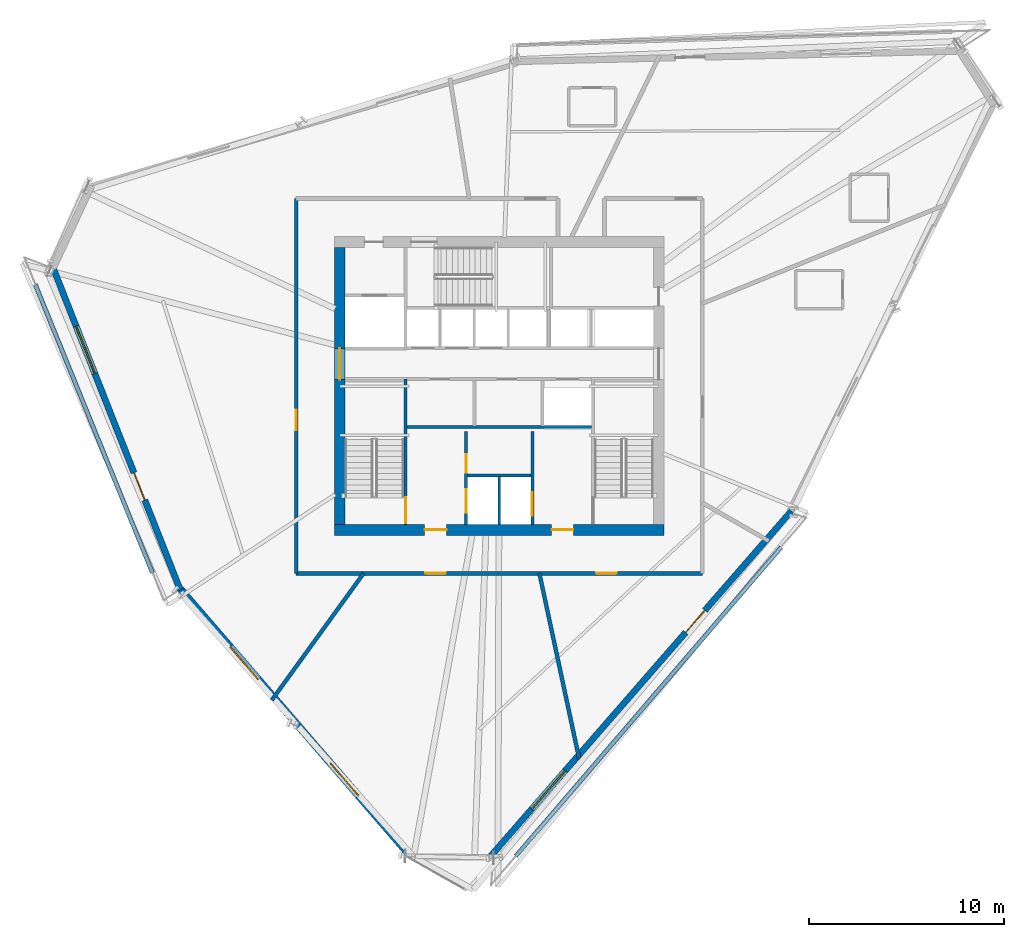
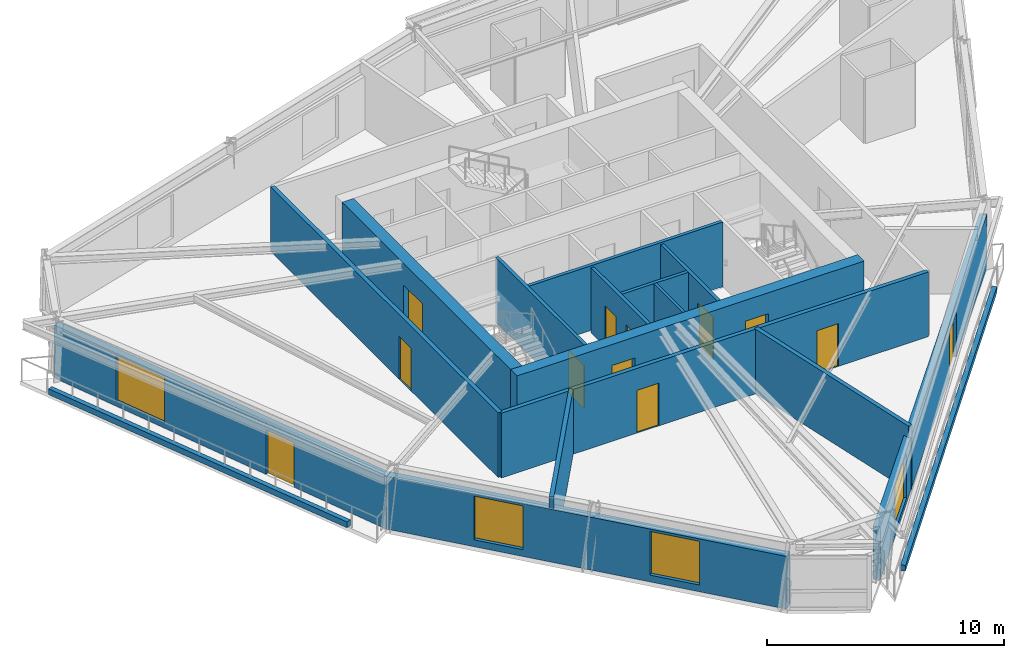
# One storey, part 7 of 13: 17 walls, 12 doors, 4 windows, 16 openings.
"""IFC4 building model written with IfcOpenShell, lengths in metres."""

from ifc_helpers import new_model, si_unit, direction, frame, frame_2d, origin, place, context, subcontext, project, spatial, rectangle, extrude, source, transform, mapped, material, layer, layer_set, type_object, type_shapes, element, fill, save


model = new_model("IFC4")

# Units and contexts
model_context = context("Model", 3, precision=1e-05, world=origin(), true_north=direction((0.0, 1.0)))
body_context = subcontext(model_context, "Body", "Model", "MODEL_VIEW")
ifc_project = project(units=[si_unit("LENGTHUNIT", "METRE"), si_unit("AREAUNIT", "SQUARE_METRE"), si_unit("VOLUMEUNIT", "CUBIC_METRE"), si_unit("PLANEANGLEUNIT", "RADIAN"), si_unit("MASSUNIT", "GRAM", prefix="KILO")], contexts=[model_context])

# Site, building, storey
site_placement = place(None, origin())
site = spatial("IfcSite", under=ifc_project, at=site_placement, CompositionType="ELEMENT")
building_placement = place(site_placement, origin())
building = spatial("IfcBuilding", under=site, at=building_placement, Name="Olszyna Solenne Hotel", CompositionType="ELEMENT")
storey_placement = place(building_placement, frame((0.0, 0.0, 167.89990234375)))
storey = spatial("IfcBuildingStorey", under=building, at=storey_placement, Name="L44", CompositionType="ELEMENT", Elevation=167.89990234375)

# Wall, openings, doors
ifc_material_1 = material(Name="Concrete C50/60", Category="concrete")
ifc_layer_1 = layer(ifc_material_1, 0.550048828125, Name="Concrete C50/60")
ifc_layer_set_1 = layer_set([ifc_layer_1], Name="Concrete C50/60")
wall_type_1 = type_object("IfcWallType", Name="WL-CR550", PredefinedType="SHEAR", material=ifc_layer_set_1)
wall_1_placement = place(storey_placement, frame((46.449951171875, 19.22509765625, 0.0), z_axis=(0.0, 0.0, 1.0), x_axis=(-1.0, 0.0, 0.0)))
wall_1 = element("IfcWall", 1, at=wall_1_placement, inside=storey, type_object=wall_type_1, Name="Core shear wall WL-CR550 CRW-L44-S", PredefinedType="SHEAR", context=body_context, shape_type="SweptSolid", body=[
    extrude(rectangle(XDim=16.89990234375, YDim=0.550048828125, at=frame_2d((8.449951171875, 0.0))), origin(), (0.0, 0.0, 1.0), 3.330078125),
])
opening_1_placement = place(wall_1_placement, frame((4.64990234375, 0.0, 0.0)))
opening_1 = element("IfcOpeningElement", 2, at=opening_1_placement, cuts=wall_1, Name="Opening FL-L44-1", PredefinedType="OPENING", context=body_context, shape_type="SweptSolid", body=[
    extrude(rectangle(XDim=1.1201171875, YDim=2.25, at=frame_2d((0.56005859375, 1.125))), frame((0.0, 0.28515625, 0.0), z_axis=(0.0, -1.0, 0.0), x_axis=(1.0, 0.0, 0.0)), (0.0, 0.0, 1.0), 0.570068359375),
])
opening_2_placement = place(wall_1_placement, frame((11.14990234375, 0.0, 0.0)))
opening_2 = element("IfcOpeningElement", 3, at=opening_2_placement, cuts=wall_1, Name="Opening FL-L44-2", PredefinedType="OPENING", context=body_context, shape_type="SweptSolid", body=[
    extrude(rectangle(XDim=1.1201171875, YDim=2.25, at=frame_2d((0.56005859375, 1.125))), frame((0.0, 0.28515625, 0.0), z_axis=(0.0, -1.0, 0.0), x_axis=(1.0, 0.0, 0.0)), (0.0, 0.0, 1.0), 0.570068359375),
])
ifc_material_2 = material(Name="Steel S355J2", Category="steel")
door_type_1 = type_object("IfcDoorType", Name="DR-FL1", OperationType="NOTDEFINED", PredefinedType="DOOR", material=ifc_material_2)
shared_shape_1 = source(origin(), body_context, "Body", "SweptSolid", [
    extrude(rectangle(XDim=1.1201171875, YDim=2.25, at=frame_2d((0.56005859375, 1.125))), frame((0.0, 0.02490234375, 0.0), z_axis=(0.0, -1.0, 0.0), x_axis=(1.0, 0.0, 0.0)), (0.0, 0.0, 1.0), 0.050048828125),
])
type_shapes(door_type_1, [shared_shape_1])
door_1_placement = place(opening_1_placement, origin())
door_1 = element("IfcDoor", 4, at=door_1_placement, inside=storey, type_object=door_type_1, Name="Firefighting lift lobby smoke door FL-L44-1", OperationType="SINGLE_SWING_LEFT", OverallHeight=2.25, OverallWidth=1.1201171875, PredefinedType="DOOR", context=body_context, shape_type="MappedRepresentation", body=[
    mapped(shared_shape_1, transform((0.0, 0.0, 0.0), x_axis=(1.0, 0.0, 0.0), y_axis=(0.0, 1.0, 0.0), z_axis=(0.0, 0.0, 1.0), scale=1.0)),
])
fill(opening_1, door_1)
door_2_placement = place(opening_2_placement, origin())
door_2 = element("IfcDoor", 5, at=door_2_placement, inside=storey, type_object=door_type_1, Name="Firefighting lift lobby smoke door FL-L44-2", OperationType="SINGLE_SWING_RIGHT", OverallHeight=2.25, OverallWidth=1.1201171875, PredefinedType="DOOR", context=body_context, shape_type="MappedRepresentation", body=[
    mapped(shared_shape_1, transform((0.0, 0.0, 0.0), x_axis=(1.0, 0.0, 0.0), y_axis=(0.0, 1.0, 0.0), z_axis=(0.0, 0.0, 1.0), scale=1.0)),
])
fill(opening_2, door_2)

# Wall, opening, door
wall_2_placement = place(storey_placement, frame((29.824951171875, 19.5, 0.0), z_axis=(0.0, 0.0, 1.0), x_axis=(0.0, 1.0, 0.0)))
wall_2 = element("IfcWall", 6, at=wall_2_placement, inside=storey, type_object=wall_type_1, Name="Core shear wall WL-CR550 CRW-L44-W", PredefinedType="SHEAR", context=body_context, shape_type="SweptSolid", body=[
    extrude(rectangle(XDim=14.199951171875, YDim=0.550048828125, at=frame_2d((7.10009765625, 0.0))), origin(), (0.0, 0.0, 1.0), 3.330078125),
])
opening_3_placement = place(wall_2_placement, frame((7.419921875, 0.0, 0.0)))
opening_3 = element("IfcOpeningElement", 7, at=opening_3_placement, cuts=wall_2, Name="Opening LHD-L44-W", PredefinedType="OPENING", context=body_context, shape_type="SweptSolid", body=[
    extrude(rectangle(XDim=1.60009765625, YDim=2.199951171875, at=frame_2d((0.800048828125, 1.10009765625))), frame((0.0, 0.28515625, 0.0), z_axis=(0.0, -1.0, 0.0), x_axis=(1.0, 0.0, 0.0)), (0.0, 0.0, 1.0), 0.570068359375),
])
ifc_material_3 = material(Name="Timber hardwood", Category="wood")
door_type_2 = type_object("IfcDoorType", Name="DR-CR1", OperationType="DOUBLE_DOOR_SINGLE_SWING", PredefinedType="DOOR", material=ifc_material_3)
shared_shape_2 = source(origin(), body_context, "Body", "SweptSolid", [
    extrude(rectangle(XDim=1.60009765625, YDim=2.199951171875, at=frame_2d((0.800048828125, 1.10009765625))), frame((0.0, 0.02490234375, 0.0), z_axis=(0.0, -1.0, 0.0), x_axis=(1.0, 0.0, 0.0)), (0.0, 0.0, 1.0), 0.050048828125),
])
type_shapes(door_type_2, [shared_shape_2])
door_3_placement = place(opening_3_placement, origin())
door_3 = element("IfcDoor", 8, at=door_3_placement, inside=storey, type_object=door_type_2, Name="Passenger lift lobby West fire door LHD-L44-W", OperationType="DOUBLE_DOOR_SINGLE_SWING", OverallHeight=2.199951171875, OverallWidth=1.60009765625, PredefinedType="DOOR", context=body_context, shape_type="MappedRepresentation", body=[
    mapped(shared_shape_2, transform((0.0, 0.0, 0.0), x_axis=(1.0, 0.0, 0.0), y_axis=(0.0, 1.0, 0.0), z_axis=(0.0, 0.0, 1.0), scale=1.0)),
])
fill(opening_3, door_3)

# Wall, openings, door, window
ifc_material_4 = material(Name="Precast concrete C45/55", Category="concrete")
ifc_layer_2 = layer(ifc_material_4, 0.320068359375, Name="Precast concrete C45/55")
ifc_layer_set_2 = layer_set([ifc_layer_2], Name="Precast concrete C45/55")
wall_type_2 = type_object("IfcWallType", Name="WL-EX320", PredefinedType="SOLIDWALL", material=ifc_layer_set_2)
wall_3_placement = place(storey_placement, frame((52.970458984375, 20.19775390625, 0.0), z_axis=(0.0, 0.0, 1.0), x_axis=(-0.656914851648, -0.753964772177, 0.0)))
wall_3 = element("IfcWall", 9, at=wall_3_placement, inside=storey, type_object=wall_type_2, Name="Exterior terracotta-precast frame wall WL-EX320 EW-L44-01", PredefinedType="SOLIDWALL", context=body_context, shape_type="SweptSolid", body=[
    extrude(rectangle(XDim=23.4404296875, YDim=0.320068359375, at=frame_2d((11.72021484375, 0.0))), origin(), (0.0, 0.0, 1.0), 2.72216796875),
])
opening_4_placement = place(wall_3_placement, frame((6.7509765625, 0.0, 0.0)))
opening_4 = element("IfcOpeningElement", 10, at=opening_4_placement, cuts=wall_3, Name="Opening LDG-L44-3", PredefinedType="OPENING", context=body_context, shape_type="SweptSolid", body=[
    extrude(rectangle(XDim=1.5, YDim=2.300048828125, at=frame_2d((0.75, 1.14990234375))), frame((0.0, 0.169921875, 0.0), z_axis=(0.0, -1.0, 0.0), x_axis=(1.0, 0.0, 0.0)), (0.0, 0.0, 1.0), 0.340087890625),
])
opening_5_placement = place(wall_3_placement, frame((17.64599609375, 0.0, 0.251953125)))
opening_5 = element("IfcOpeningElement", 11, at=opening_5_placement, cuts=wall_3, Name="Opening WN-L44-269", PredefinedType="OPENING", context=body_context, shape_type="SweptSolid", body=[
    extrude(rectangle(XDim=2.60009765625, YDim=2.35009765625, at=frame_2d((1.300048828125, 1.175048828125))), frame((0.0, 0.169921875, 0.0), z_axis=(0.0, -1.0, 0.0), x_axis=(1.0, 0.0, 0.0)), (0.0, 0.0, 1.0), 0.340087890625),
])
ifc_material_5 = material(Name="Anodised bronze aluminium", Category="aluminium")
door_type_3 = type_object("IfcDoorType", Name="DR-LG2", OperationType="DOUBLE_DOOR_SINGLE_SWING", PredefinedType="DOOR", material=ifc_material_5)
shared_shape_3 = source(origin(), body_context, "Body", "SweptSolid", [
    extrude(rectangle(XDim=1.5, YDim=2.300048828125, at=frame_2d((0.75, 1.14990234375))), frame((0.0, 0.02490234375, 0.0), z_axis=(0.0, -1.0, 0.0), x_axis=(1.0, 0.0, 0.0)), (0.0, 0.0, 1.0), 0.050048828125),
])
type_shapes(door_type_3, [shared_shape_3])
door_4_placement = place(opening_4_placement, origin())
door_4 = element("IfcDoor", 12, at=door_4_placement, inside=storey, type_object=door_type_3, Name="Exterior loggia balcony door DR-LG2 LDG-L44-3", OperationType="DOUBLE_DOOR_SINGLE_SWING", OverallHeight=2.300048828125, OverallWidth=1.5, PredefinedType="DOOR", context=body_context, shape_type="MappedRepresentation", body=[
    mapped(shared_shape_3, transform((0.0, 0.0, 0.0), x_axis=(1.0, 0.0, 0.0), y_axis=(0.0, 1.0, 0.0), z_axis=(0.0, 0.0, 1.0), scale=1.0)),
])
fill(opening_4, door_4)
ifc_material_6 = material(Name="Low-E triple glazing", Category="glass")
window_type_1 = type_object("IfcWindowType", Name="WN-ST1", PartitioningType="SINGLE_PANEL", PredefinedType="WINDOW", material=ifc_material_6)
shared_shape_4 = source(origin(), body_context, "Body", "SweptSolid", [
    extrude(rectangle(XDim=2.60009765625, YDim=2.35009765625, at=frame_2d((1.300048828125, 1.175048828125))), frame((0.0, 0.030029296875, 0.0), z_axis=(0.0, -1.0, 0.0), x_axis=(1.0, 0.0, 0.0)), (0.0, 0.0, 1.0), 0.06005859375),
])
type_shapes(window_type_1, [shared_shape_4])
window_1_placement = place(opening_5_placement, origin())
window_1 = element("IfcWindow", 13, at=window_1_placement, inside=storey, type_object=window_type_1, Name="Loggia room window WN-ST1 WN-L44-269", OverallHeight=2.35009765625, OverallWidth=2.60009765625, PartitioningType="SINGLE_PANEL", PredefinedType="WINDOW", context=body_context, shape_type="MappedRepresentation", body=[
    mapped(shared_shape_4, transform((0.0, 0.0, 0.0), x_axis=(1.0, 0.0, 0.0), y_axis=(0.0, 1.0, 0.0), z_axis=(0.0, 0.0, 1.0), scale=1.0)),
])
fill(opening_5, window_1)

wall_4_placement = place(storey_placement, frame((21.667724609375, 16.132080078125, 0.0), z_axis=(0.0, 0.0, 1.0), x_axis=(-0.367279006452, 0.930110816741, 0.0)))
wall_4 = element("IfcWall", 14, at=wall_4_placement, inside=storey, type_object=wall_type_2, Name="Exterior terracotta-precast frame wall WL-EX320 EW-L44-05", PredefinedType="SOLIDWALL", context=body_context, shape_type="SweptSolid", body=[
    extrude(rectangle(XDim=17.890380859375, YDim=0.320068359375, at=frame_2d((8.9453125, 0.0))), origin(), (0.0, 0.0, 1.0), 2.72216796875),
])
opening_6_placement = place(wall_4_placement, frame((4.97509765625, 0.0, 0.0)))
opening_6 = element("IfcOpeningElement", 15, at=opening_6_placement, cuts=wall_4, Name="Opening LDG-L44-2", PredefinedType="OPENING", context=body_context, shape_type="SweptSolid", body=[
    extrude(rectangle(XDim=1.5, YDim=2.300048828125, at=frame_2d((0.75, 1.14990234375))), frame((0.0, 0.169921875, 0.0), z_axis=(0.0, -1.0, 0.0), x_axis=(1.0, 0.0, 0.0)), (0.0, 0.0, 1.0), 0.340087890625),
])
opening_7_placement = place(wall_4_placement, frame((11.93896484375, 0.0, 0.251953125)))
opening_7 = element("IfcOpeningElement", 16, at=opening_7_placement, cuts=wall_4, Name="Opening WN-L44-272", PredefinedType="OPENING", context=body_context, shape_type="SweptSolid", body=[
    extrude(rectangle(XDim=2.60009765625, YDim=2.35009765625, at=frame_2d((1.300048828125, 1.175048828125))), frame((0.0, 0.169921875, 0.0), z_axis=(0.0, -1.0, 0.0), x_axis=(1.0, 0.0, 0.0)), (0.0, 0.0, 1.0), 0.340087890625),
])
door_5_placement = place(opening_6_placement, origin())
door_5 = element("IfcDoor", 17, at=door_5_placement, inside=storey, type_object=door_type_3, Name="Exterior loggia balcony door DR-LG2 LDG-L44-2", OperationType="DOUBLE_DOOR_SINGLE_SWING", OverallHeight=2.300048828125, OverallWidth=1.5, PredefinedType="DOOR", context=body_context, shape_type="MappedRepresentation", body=[
    mapped(shared_shape_3, transform((0.0, 0.0, 0.0), x_axis=(1.0, 0.0, 0.0), y_axis=(0.0, 1.0, 0.0), z_axis=(0.0, 0.0, 1.0), scale=1.0)),
])
fill(opening_6, door_5)
window_2_placement = place(opening_7_placement, origin())
window_2 = element("IfcWindow", 18, at=window_2_placement, inside=storey, type_object=window_type_1, Name="Loggia room window WN-ST1 WN-L44-272", OverallHeight=2.35009765625, OverallWidth=2.60009765625, PartitioningType="SINGLE_PANEL", PredefinedType="WINDOW", context=body_context, shape_type="MappedRepresentation", body=[
    mapped(shared_shape_4, transform((0.0, 0.0, 0.0), x_axis=(1.0, 0.0, 0.0), y_axis=(0.0, 1.0, 0.0), z_axis=(0.0, 0.0, 1.0), scale=1.0)),
])
fill(opening_7, window_2)

# Wall, openings, windows
ifc_material_7 = material(Name="Terracotta cladding on precast concrete C45/55", Category="masonry")
ifc_layer_3 = layer(ifc_material_7, 0.3798828125, Name="Terracotta cladding on precast concrete C45/55")
ifc_layer_set_3 = layer_set([ifc_layer_3], Name="Terracotta cladding on precast concrete C45/55")
wall_type_3 = type_object("IfcWallType", Name="WL-EX380", PredefinedType="SOLIDWALL", material=ifc_layer_set_3)
wall_5_placement = place(storey_placement, frame((33.341796875, 2.6455078125, 0.0), z_axis=(0.0, 0.0, 1.0), x_axis=(-0.652817593777, 0.757515141271, 0.0)))
wall_5 = element("IfcWall", 19, at=wall_5_placement, inside=storey, type_object=wall_type_3, Name="Exterior terracotta-precast frame wall WL-EX380 EW-L44-04", PredefinedType="SOLIDWALL", context=body_context, shape_type="SweptSolid", body=[
    extrude(rectangle(XDim=17.89013671875, YDim=0.3798828125, at=frame_2d((8.945068359375, 0.0))), origin(), (0.0, 0.0, 1.0), 2.72216796875),
])
opening_8_placement = place(wall_5_placement, frame((3.908935546875, 0.0, 0.35205078125)))
opening_8 = element("IfcOpeningElement", 20, at=opening_8_placement, cuts=wall_5, Name="Opening WN-L44-270", PredefinedType="OPENING", context=body_context, shape_type="SweptSolid", body=[
    extrude(rectangle(XDim=2.199951171875, YDim=2.25, at=frame_2d((1.10009765625, 1.125))), frame((0.0, 0.199951171875, 0.0), z_axis=(0.0, -1.0, 0.0), x_axis=(1.0, 0.0, 0.0)), (0.0, 0.0, 1.0), 0.39990234375),
])
opening_9_placement = place(wall_5_placement, frame((11.781005859375, 0.0, 0.35205078125)))
opening_9 = element("IfcOpeningElement", 21, at=opening_9_placement, cuts=wall_5, Name="Opening WN-L44-271", PredefinedType="OPENING", context=body_context, shape_type="SweptSolid", body=[
    extrude(rectangle(XDim=2.199951171875, YDim=2.25, at=frame_2d((1.10009765625, 1.125))), frame((0.0, 0.199951171875, 0.0), z_axis=(0.0, -1.0, 0.0), x_axis=(1.0, 0.0, 0.0)), (0.0, 0.0, 1.0), 0.39990234375),
])
window_type_2 = type_object("IfcWindowType", Name="WN-HT2", PartitioningType="SINGLE_PANEL", PredefinedType="WINDOW", material=ifc_material_6)
shared_shape_5 = source(origin(), body_context, "Body", "SweptSolid", [
    extrude(rectangle(XDim=2.199951171875, YDim=2.25, at=frame_2d((1.10009765625, 1.125))), frame((0.0, 0.030029296875, 0.0), z_axis=(0.0, -1.0, 0.0), x_axis=(1.0, 0.0, 0.0)), (0.0, 0.0, 1.0), 0.06005859375),
])
type_shapes(window_type_2, [shared_shape_5])
window_3_placement = place(opening_8_placement, origin())
window_3 = element("IfcWindow", 22, at=window_3_placement, inside=storey, type_object=window_type_2, Name="Exterior facade window WN-HT2 WN-L44-270", OverallHeight=2.25, OverallWidth=2.199951171875, PartitioningType="SINGLE_PANEL", PredefinedType="WINDOW", context=body_context, shape_type="MappedRepresentation", body=[
    mapped(shared_shape_5, transform((0.0, 0.0, 0.0), x_axis=(1.0, 0.0, 0.0), y_axis=(0.0, 1.0, 0.0), z_axis=(0.0, 0.0, 1.0), scale=1.0)),
])
fill(opening_8, window_3)
window_4_placement = place(opening_9_placement, origin())
window_4 = element("IfcWindow", 23, at=window_4_placement, inside=storey, type_object=window_type_2, Name="Exterior facade window WN-HT2 WN-L44-271", OverallHeight=2.25, OverallWidth=2.199951171875, PartitioningType="SINGLE_PANEL", PredefinedType="WINDOW", context=body_context, shape_type="MappedRepresentation", body=[
    mapped(shared_shape_5, transform((0.0, 0.0, 0.0), x_axis=(1.0, 0.0, 0.0), y_axis=(0.0, 1.0, 0.0), z_axis=(0.0, 0.0, 1.0), scale=1.0)),
])
fill(opening_9, window_4)

# Walls
ifc_layer_4 = layer(ifc_material_4, 0.219970703125, Name="Precast concrete C45/55")
ifc_layer_set_4 = layer_set([ifc_layer_4], Name="Precast concrete C45/55")
wall_type_4 = type_object("IfcWallType", Name="WL-PR220", PredefinedType="PARAPET", material=ifc_layer_set_4)
wall_6_placement = place(storey_placement, frame((14.232666015625, 31.80078125, 0.0), z_axis=(0.0, 0.0, 1.0), x_axis=(0.376362267413, -0.926472581174, 0.0)))
element("IfcWall", 24, at=wall_6_placement, inside=storey, type_object=wall_type_4, Name="Loggia balcony precast kerb PR-L44-LG2", PredefinedType="PARAPET", context=body_context, shape_type="SweptSolid", body=[
    extrude(rectangle(XDim=15.951171875, YDim=0.219970703125, at=frame_2d((7.9755859375, 0.0))), origin(), (0.0, 0.0, 1.0), 0.300048828125),
])
wall_7_placement = place(storey_placement, frame((38.85205078125, 2.514404296875, 0.0), z_axis=(0.0, 0.0, 1.0), x_axis=(0.651493813463, 0.758653946816, 0.0)))
element("IfcWall", 25, at=wall_7_placement, inside=storey, type_object=wall_type_4, Name="Loggia balcony precast kerb PR-L44-LG3", PredefinedType="PARAPET", context=body_context, shape_type="SweptSolid", body=[
    extrude(rectangle(XDim=20.857666015625, YDim=0.219970703125, at=frame_2d((10.4287109375, 0.0))), origin(), (0.0, 0.0, 1.0), 0.300048828125),
])
ifc_material_8 = material(Name="Acoustic gypsum partition", Category="gypsum")
ifc_layer_5 = layer(ifc_material_8, 0.125, Name="Acoustic gypsum partition")
ifc_layer_set_5 = layer_set([ifc_layer_5], Name="Acoustic gypsum partition")
wall_type_5 = type_object("IfcWallType", Name="WL-PT125", PredefinedType="PARTITIONING", material=ifc_layer_set_5)
wall_8_placement = place(storey_placement, frame((38.0, 19.5, 0.0), z_axis=(0.0, 0.0, 1.0), x_axis=(0.0, 1.0, 0.0)))
element("IfcWall", 26, at=wall_8_placement, inside=storey, type_object=wall_type_5, Name="Core shaft compartment wall CW-L44-FFM", PredefinedType="PARTITIONING", context=body_context, shape_type="SweptSolid", body=[
    extrude(rectangle(XDim=2.4599609375, YDim=0.125, at=frame_2d((1.22998046875, 0.0))), origin(), (0.0, 0.0, 1.0), 3.330078125),
])

# Wall, opening, door
ifc_layer_6 = layer(ifc_material_8, 0.159912109375, Name="Acoustic gypsum partition")
ifc_layer_set_6 = layer_set([ifc_layer_6], Name="Acoustic gypsum partition")
wall_type_6 = type_object("IfcWallType", Name="WL-PT160", PredefinedType="PARTITIONING", material=ifc_layer_set_6)
wall_9_placement = place(storey_placement, frame((33.199951171875, 19.5, 0.0), z_axis=(0.0, 0.0, 1.0), x_axis=(0.0, 1.0, 0.0)))
wall_9 = element("IfcWall", 27, at=wall_9_placement, inside=storey, type_object=wall_type_6, Name="Core shaft compartment wall CW-L44-ST1E", PredefinedType="PARTITIONING", context=body_context, shape_type="SweptSolid", body=[
    extrude(rectangle(XDim=7.4599609375, YDim=0.159912109375, at=frame_2d((3.72998046875, 0.0))), origin(), (0.0, 0.0, 1.0), 3.330078125),
])
opening_10_placement = place(wall_9_placement, frame((0.080078125, 0.0, 0.0)))
opening_10 = element("IfcOpeningElement", 28, at=opening_10_placement, cuts=wall_9, Name="Opening STD-L44-01", PredefinedType="OPENING", context=body_context, shape_type="SweptSolid", body=[
    extrude(rectangle(XDim=1.320068359375, YDim=2.199951171875, at=frame_2d((0.66015625, 1.10009765625))), frame((0.0, 0.08984375, 0.0), z_axis=(0.0, -1.0, 0.0), x_axis=(1.0, 0.0, 0.0)), (0.0, 0.0, 1.0), 0.179931640625),
])
door_type_4 = type_object("IfcDoorType", Name="DR-ST1", OperationType="NOTDEFINED", PredefinedType="DOOR", material=ifc_material_2)
shared_shape_6 = source(origin(), body_context, "Body", "SweptSolid", [
    extrude(rectangle(XDim=1.320068359375, YDim=2.199951171875, at=frame_2d((0.66015625, 1.10009765625))), frame((0.0, 0.02490234375, 0.0), z_axis=(0.0, -1.0, 0.0), x_axis=(1.0, 0.0, 0.0)), (0.0, 0.0, 1.0), 0.050048828125),
])
type_shapes(door_type_4, [shared_shape_6])
door_6_placement = place(opening_10_placement, origin())
door_6 = element("IfcDoor", 29, at=door_6_placement, inside=storey, type_object=door_type_4, Name="Pressurised exit stair ST1 fire door STD-L44-01", OperationType="SINGLE_SWING_LEFT", OverallHeight=2.199951171875, OverallWidth=1.320068359375, PredefinedType="DOOR", context=body_context, shape_type="MappedRepresentation", body=[
    mapped(shared_shape_6, transform((0.0, 0.0, 0.0), x_axis=(1.0, 0.0, 0.0), y_axis=(0.0, 1.0, 0.0), z_axis=(0.0, 0.0, 1.0), scale=1.0)),
])
fill(opening_10, door_6)

# Wall, openings, doors
wall_10_placement = place(storey_placement, frame((36.300048828125, 19.5, 0.0), z_axis=(0.0, 0.0, 1.0), x_axis=(0.0, 1.0, 0.0)))
wall_10 = element("IfcWall", 30, at=wall_10_placement, inside=storey, type_object=wall_type_6, Name="Core shaft compartment wall CW-L44-FF1W", PredefinedType="PARTITIONING", context=body_context, shape_type="SweptSolid", body=[
    extrude(rectangle(XDim=4.780029296875, YDim=0.159912109375, at=frame_2d((2.39013671875, 0.0))), origin(), (0.0, 0.0, 1.0), 3.330078125),
])
opening_11_placement = place(wall_10_placement, frame((0.60009765625, 0.0, 0.0)))
opening_11 = element("IfcOpeningElement", 31, at=opening_11_placement, cuts=wall_10, Name="Opening LD-L44-FF1", PredefinedType="OPENING", context=body_context, shape_type="SweptSolid", body=[
    extrude(rectangle(XDim=1.199951171875, YDim=2.199951171875, at=frame_2d((0.60009765625, 1.10009765625))), frame((0.0, 0.08984375, 0.0), z_axis=(0.0, -1.0, 0.0), x_axis=(1.0, 0.0, 0.0)), (0.0, 0.0, 1.0), 0.179931640625),
])
opening_12_placement = place(wall_10_placement, frame((2.64990234375, 0.0, 0.0)))
opening_12 = element("IfcOpeningElement", 32, at=opening_12_placement, cuts=wall_10, Name="Opening SVD-L44-SMK", PredefinedType="OPENING", context=body_context, shape_type="SweptSolid", body=[
    extrude(rectangle(XDim=0.949951171875, YDim=2.10009765625, at=frame_2d((0.47509765625, 1.050048828125))), frame((0.0, 0.08984375, 0.0), z_axis=(0.0, -1.0, 0.0), x_axis=(1.0, 0.0, 0.0)), (0.0, 0.0, 1.0), 0.179931640625),
])
door_type_5 = type_object("IfcDoorType", Name="DR-SV1", OperationType="NOTDEFINED", PredefinedType="DOOR", material=ifc_material_2)
shared_shape_7 = source(origin(), body_context, "Body", "SweptSolid", [
    extrude(rectangle(XDim=0.949951171875, YDim=2.10009765625, at=frame_2d((0.47509765625, 1.050048828125))), frame((0.0, 0.02490234375, 0.0), z_axis=(0.0, -1.0, 0.0), x_axis=(1.0, 0.0, 0.0)), (0.0, 0.0, 1.0), 0.050048828125),
])
type_shapes(door_type_5, [shared_shape_7])
door_7_placement = place(opening_12_placement, origin())
door_7 = element("IfcDoor", 33, at=door_7_placement, inside=storey, type_object=door_type_5, Name="Valet and core service room door SVD-L44-SMK", OperationType="SINGLE_SWING_LEFT", OverallHeight=2.10009765625, OverallWidth=0.949951171875, PredefinedType="DOOR", context=body_context, shape_type="MappedRepresentation", body=[
    mapped(shared_shape_7, transform((0.0, 0.0, 0.0), x_axis=(1.0, 0.0, 0.0), y_axis=(0.0, 1.0, 0.0), z_axis=(0.0, 0.0, 1.0), scale=1.0)),
])
fill(opening_12, door_7)
door_type_6 = type_object("IfcDoorType", Name="LD-FF1", OperationType="DOUBLE_DOOR_SLIDING", PredefinedType="DOOR", material=ifc_material_2)
shared_shape_8 = source(origin(), body_context, "Body", "SweptSolid", [
    extrude(rectangle(XDim=1.199951171875, YDim=2.199951171875, at=frame_2d((0.60009765625, 1.10009765625))), frame((0.0, 0.02490234375, 0.0), z_axis=(0.0, -1.0, 0.0), x_axis=(1.0, 0.0, 0.0)), (0.0, 0.0, 1.0), 0.050048828125),
])
type_shapes(door_type_6, [shared_shape_8])
door_8_placement = place(opening_11_placement, origin())
door_8 = element("IfcDoor", 34, at=door_8_placement, inside=storey, type_object=door_type_6, Name="Firefighters lift FF1 sliding landing door LD-L44-FF1", OperationType="DOUBLE_DOOR_SLIDING", OverallHeight=2.199951171875, OverallWidth=1.199951171875, PredefinedType="DOOR", context=body_context, shape_type="MappedRepresentation", body=[
    mapped(shared_shape_8, transform((0.0, 0.0, 0.0), x_axis=(1.0, 0.0, 0.0), y_axis=(0.0, 1.0, 0.0), z_axis=(0.0, 0.0, 1.0), scale=1.0)),
])
fill(opening_11, door_8)

# Wall, opening, door
wall_11_placement = place(storey_placement, frame((39.699951171875, 24.280029296875, 0.0), z_axis=(0.0, 0.0, 1.0), x_axis=(0.0, -1.0, 0.0)))
wall_11 = element("IfcWall", 35, at=wall_11_placement, inside=storey, type_object=wall_type_6, Name="Core shaft compartment wall CW-L44-FF2E", PredefinedType="PARTITIONING", context=body_context, shape_type="SweptSolid", body=[
    extrude(rectangle(XDim=4.780029296875, YDim=0.159912109375, at=frame_2d((2.39013671875, 0.0))), origin(), (0.0, 0.0, 1.0), 3.330078125),
])
opening_13_placement = place(wall_11_placement, frame((3.1201171875, 0.0, 0.0)))
opening_13 = element("IfcOpeningElement", 36, at=opening_13_placement, cuts=wall_11, Name="Opening LD-L44-FF2", PredefinedType="OPENING", context=body_context, shape_type="SweptSolid", body=[
    extrude(rectangle(XDim=1.199951171875, YDim=2.199951171875, at=frame_2d((0.60009765625, 1.10009765625))), frame((0.0, 0.08984375, 0.0), z_axis=(0.0, -1.0, 0.0), x_axis=(1.0, 0.0, 0.0)), (0.0, 0.0, 1.0), 0.179931640625),
])
door_9_placement = place(opening_13_placement, origin())
door_9 = element("IfcDoor", 37, at=door_9_placement, inside=storey, type_object=door_type_6, Name="Firefighters lift FF2 sliding landing door LD-L44-FF2", OperationType="DOUBLE_DOOR_SLIDING", OverallHeight=2.199951171875, OverallWidth=1.199951171875, PredefinedType="DOOR", context=body_context, shape_type="MappedRepresentation", body=[
    mapped(shared_shape_8, transform((0.0, 0.0, 0.0), x_axis=(1.0, 0.0, 0.0), y_axis=(0.0, 1.0, 0.0), z_axis=(0.0, 0.0, 1.0), scale=1.0)),
])
fill(opening_13, door_9)

# Walls
wall_12_placement = place(storey_placement, frame((36.3798828125, 22.02001953125, 0.0), z_axis=(0.0, 0.0, 1.0), x_axis=(1.0, 0.0, 0.0)))
element("IfcWall", 38, at=wall_12_placement, inside=storey, type_object=wall_type_6, Name="Core shaft compartment wall CW-L44-FFN", PredefinedType="PARTITIONING", context=body_context, shape_type="SweptSolid", body=[
    extrude(rectangle(XDim=3.240234375, YDim=0.159912109375, at=frame_2d((1.6201171875, 0.0))), origin(), (0.0, 0.0, 1.0), 3.330078125),
])
wall_13_placement = place(storey_placement, frame((33.280029296875, 24.489990234375, 0.0), z_axis=(0.0, 0.0, 1.0), x_axis=(1.0, 0.0, 0.0)))
element("IfcWall", 39, at=wall_13_placement, inside=storey, type_object=wall_type_6, Name="Core shaft compartment wall CW-L44-FFBN", PredefinedType="PARTITIONING", context=body_context, shape_type="SweptSolid", body=[
    extrude(rectangle(XDim=9.43994140625, YDim=0.159912109375, at=frame_2d((4.719970703125, 0.0))), origin(), (0.0, 0.0, 1.0), 3.330078125),
])
ifc_layer_7 = layer(ifc_material_8, 0.199951171875, Name="Acoustic gypsum partition")
ifc_layer_set_7 = layer_set([ifc_layer_7], Name="Acoustic gypsum partition")
wall_type_7 = type_object("IfcWallType", Name="WL-PT200", PredefinedType="PARTITIONING", material=ifc_layer_set_7)
wall_14_placement = place(storey_placement, frame((31.05078125, 17.0, 0.0), z_axis=(0.0, 0.0, 1.0), x_axis=(-0.58638917402, -0.810029466496, 0.0)))
element("IfcWall", 40, at=wall_14_placement, inside=storey, type_object=wall_type_7, Name="Interior acoustic partition WL-PT200 PW-L44-2470", PredefinedType="PARTITIONING", context=body_context, shape_type="SweptSolid", body=[
    extrude(rectangle(XDim=8.01171875, YDim=0.199951171875, at=frame_2d((4.005859375, 0.0))), origin(), (0.0, 0.0, 1.0), 3.330078125),
])
wall_15_placement = place(storey_placement, frame((40.05810546875, 17.0, 0.0), z_axis=(0.0, 0.0, 1.0), x_axis=(0.209628767646, -0.977781048996, 0.0)))
element("IfcWall", 41, at=wall_15_placement, inside=storey, type_object=wall_type_7, Name="Interior acoustic partition WL-PT200 PW-L44-2471", PredefinedType="PARTITIONING", context=body_context, shape_type="SweptSolid", body=[
    extrude(rectangle(XDim=9.701416015625, YDim=0.199951171875, at=frame_2d((4.8505859375, 0.0))), origin(), (0.0, 0.0, 1.0), 3.330078125),
])

# Wall, openings, doors
wall_16_placement = place(storey_placement, frame((27.60009765625, 17.0, 0.0), z_axis=(0.0, 0.0, 1.0), x_axis=(1.0, 0.0, 0.0)))
wall_16 = element("IfcWall", 42, at=wall_16_placement, inside=storey, type_object=wall_type_7, Name="Interior acoustic partition WL-PT200 PW-L44-2487", PredefinedType="PARTITIONING", context=body_context, shape_type="SweptSolid", body=[
    extrude(rectangle(XDim=20.7998046875, YDim=0.199951171875, at=frame_2d((10.39990234375, 0.0))), origin(), (0.0, 0.0, 1.0), 3.330078125),
])
opening_14_placement = place(wall_16_placement, frame((6.614990234375, 0.0, 0.0)))
opening_14 = element("IfcOpeningElement", 43, at=opening_14_placement, cuts=wall_16, Name="Opening DR-L44-0599", PredefinedType="OPENING", context=body_context, shape_type="SweptSolid", body=[
    extrude(rectangle(XDim=1.050048828125, YDim=2.199951171875, at=frame_2d((0.52490234375, 1.10009765625))), frame((0.0, 0.10986328125, 0.0), z_axis=(0.0, -1.0, 0.0), x_axis=(1.0, 0.0, 0.0)), (0.0, 0.0, 1.0), 0.219970703125),
])
opening_15_placement = place(wall_16_placement, frame((15.364990234375, 0.0, 0.0)))
opening_15 = element("IfcOpeningElement", 44, at=opening_15_placement, cuts=wall_16, Name="Opening DR-L44-0600", PredefinedType="OPENING", context=body_context, shape_type="SweptSolid", body=[
    extrude(rectangle(XDim=1.050048828125, YDim=2.199951171875, at=frame_2d((0.52490234375, 1.10009765625))), frame((0.0, 0.10986328125, 0.0), z_axis=(0.0, -1.0, 0.0), x_axis=(1.0, 0.0, 0.0)), (0.0, 0.0, 1.0), 0.219970703125),
])
door_type_7 = type_object("IfcDoorType", Name="DR-RM2", OperationType="NOTDEFINED", PredefinedType="DOOR", material=ifc_material_3)
shared_shape_9 = source(origin(), body_context, "Body", "SweptSolid", [
    extrude(rectangle(XDim=1.050048828125, YDim=2.199951171875, at=frame_2d((0.52490234375, 1.10009765625))), frame((0.0, 0.02490234375, 0.0), z_axis=(0.0, -1.0, 0.0), x_axis=(1.0, 0.0, 0.0)), (0.0, 0.0, 1.0), 0.050048828125),
])
type_shapes(door_type_7, [shared_shape_9])
door_10_placement = place(opening_14_placement, origin())
door_10 = element("IfcDoor", 45, at=door_10_placement, inside=storey, type_object=door_type_7, Name="Private Business Office Entrance Door DR-L44-0599", OperationType="SINGLE_SWING_RIGHT", OverallHeight=2.199951171875, OverallWidth=1.050048828125, PredefinedType="DOOR", context=body_context, shape_type="MappedRepresentation", body=[
    mapped(shared_shape_9, transform((0.0, 0.0, 0.0), x_axis=(1.0, 0.0, 0.0), y_axis=(0.0, 1.0, 0.0), z_axis=(0.0, 0.0, 1.0), scale=1.0)),
])
fill(opening_14, door_10)
door_11_placement = place(opening_15_placement, origin())
door_11 = element("IfcDoor", 46, at=door_11_placement, inside=storey, type_object=door_type_7, Name="Private Business Office Entrance Door DR-L44-0600", OperationType="SINGLE_SWING_LEFT", OverallHeight=2.199951171875, OverallWidth=1.050048828125, PredefinedType="DOOR", context=body_context, shape_type="MappedRepresentation", body=[
    mapped(shared_shape_9, transform((0.0, 0.0, 0.0), x_axis=(1.0, 0.0, 0.0), y_axis=(0.0, 1.0, 0.0), z_axis=(0.0, 0.0, 1.0), scale=1.0)),
])
fill(opening_15, door_11)

# Wall, opening, door
wall_17_placement = place(storey_placement, frame((27.60009765625, 17.0, 0.0), z_axis=(0.0, 0.0, 1.0), x_axis=(0.0, 1.0, 0.0)))
wall_17 = element("IfcWall", 47, at=wall_17_placement, inside=storey, type_object=wall_type_7, Name="Interior acoustic partition WL-PT200 PW-L44-2488", PredefinedType="PARTITIONING", context=body_context, shape_type="SweptSolid", body=[
    extrude(rectangle(XDim=19.199951171875, YDim=0.199951171875, at=frame_2d((9.60009765625, 0.0))), origin(), (0.0, 0.0, 1.0), 3.330078125),
])
opening_16_placement = place(wall_17_placement, frame((7.325927734375, 0.0, 0.0)))
opening_16 = element("IfcOpeningElement", 48, at=opening_16_placement, cuts=wall_17, Name="Opening DR-L44-0601", PredefinedType="OPENING", context=body_context, shape_type="SweptSolid", body=[
    extrude(rectangle(XDim=1.050048828125, YDim=2.199951171875, at=frame_2d((0.52490234375, 1.10009765625))), frame((0.0, 0.10986328125, 0.0), z_axis=(0.0, -1.0, 0.0), x_axis=(1.0, 0.0, 0.0)), (0.0, 0.0, 1.0), 0.219970703125),
])
door_12_placement = place(opening_16_placement, origin())
door_12 = element("IfcDoor", 49, at=door_12_placement, inside=storey, type_object=door_type_7, Name="Conference Boardroom Entrance Door DR-L44-0601", OperationType="SINGLE_SWING_LEFT", OverallHeight=2.199951171875, OverallWidth=1.050048828125, PredefinedType="DOOR", context=body_context, shape_type="MappedRepresentation", body=[
    mapped(shared_shape_9, transform((0.0, 0.0, 0.0), x_axis=(1.0, 0.0, 0.0), y_axis=(0.0, 1.0, 0.0), z_axis=(0.0, 0.0, 1.0), scale=1.0)),
])
fill(opening_16, door_12)

save(model, "model.ifc")
